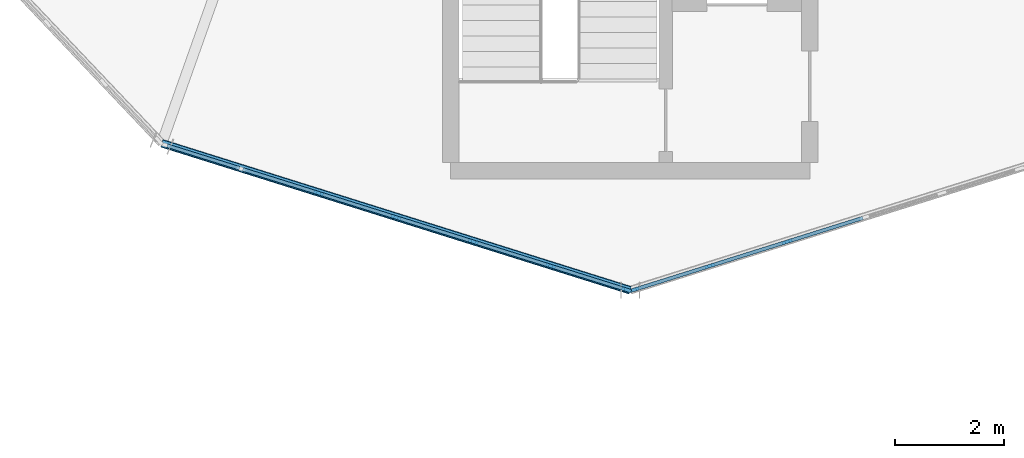
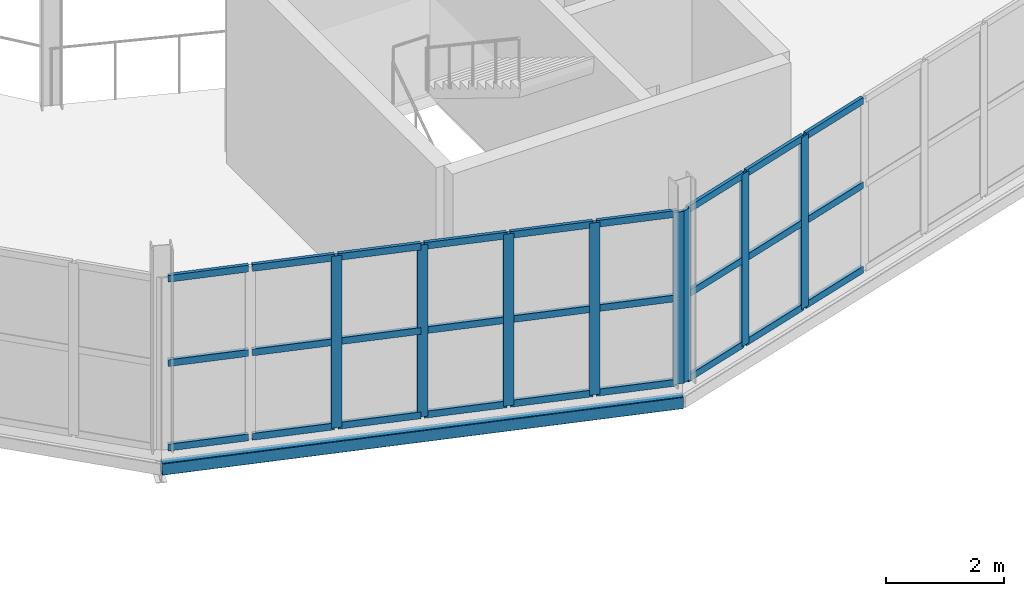
# One storey, part 75 of 161: 35 members, 1 beam, 2 elements without a shape of their own.
"""IFC4 building model written with IfcOpenShell, lengths in metres."""

from ifc_helpers import new_model, si_unit, direction, frame, origin, origin_2d, place, context, subcontext, project, spatial, rectangle, hollow_rectangle, extrude, material, material_profile, profile_set, type_object, element, aggregate, save


model = new_model("IFC4")

# Units and contexts
model_context = context("Model", 3, precision=1e-05, world=origin(), true_north=direction((0.0, 1.0)))
body_context = subcontext(model_context, "Body", "Model", "MODEL_VIEW")
ifc_project = project(units=[si_unit("LENGTHUNIT", "METRE"), si_unit("AREAUNIT", "SQUARE_METRE"), si_unit("VOLUMEUNIT", "CUBIC_METRE"), si_unit("PLANEANGLEUNIT", "RADIAN"), si_unit("MASSUNIT", "GRAM", prefix="KILO")], contexts=[model_context])

# Site, building, storey
site_placement = place(None, origin())
site = spatial("IfcSite", under=ifc_project, at=site_placement, CompositionType="ELEMENT")
building_placement = place(site_placement, origin())
building = spatial("IfcBuilding", under=site, at=building_placement, Name="Kildeholm Park Wholesale Market", CompositionType="ELEMENT")
storey_placement = place(building_placement, frame((0.0, 0.0, 5.39990234375)))
storey = spatial("IfcBuildingStorey", under=building, at=storey_placement, Name="L01", CompositionType="ELEMENT", Elevation=5.39990234375)

# Beam
ifc_material_1 = material(Name="Steel S355", Category="steel")
ifc_material_profile_1 = material_profile(ifc_material_1, hollow_rectangle(XDim=0.14990234375, YDim=0.25, WallThickness=0.010009765625, InnerFilletRadius=0.010009765625, OuterFilletRadius=0.02001953125, at=origin_2d()), Name="RHS 250x150x10")
ifc_profile_set_1 = profile_set([ifc_material_profile_1], Name="Steel S355")
beam_type = type_object("IfcBeamType", Name="Beam SP-02 RHS 250x150x10", PredefinedType="SPANDREL", material=ifc_profile_set_1)
beam_placement = place(storey_placement, frame((179.389892578125, 61.701904296875, -0.385009765625), z_axis=(0.954124515816, -0.299410100562, 0.0), x_axis=(0.299410100562, 0.954124515816, 0.0)))
element("IfcBeam", 1, at=beam_placement, inside=storey, type_object=beam_type, Name="Beam BM-V2-L01-CO-11 BM-0441", PredefinedType="SPANDREL", context=body_context, shape_type="SweptSolid", body=[
    extrude(hollow_rectangle(XDim=0.14990234375, YDim=0.25, WallThickness=0.010009765625, InnerFilletRadius=0.010009765625, OuterFilletRadius=0.02001953125, at=origin_2d()), origin(), (0.0, 0.0, 1.0), 9.024169921875),
])

# Curtain wall, members
ifc_material_2 = material(Name="Anodised aluminium and low-E double-glazed glass", Category="aluminium")
curtain_wall_type = type_object("IfcCurtainWallType", Name="Market hall glazed arcade stick curtain wall CW-01", PredefinedType="NOTDEFINED", material=ifc_material_2)
curtain_wall_1_placement = place(storey_placement, origin())
curtain_wall_1 = element("IfcCurtainWall", 2, at=curtain_wall_1_placement, inside=storey, type_object=curtain_wall_type, Name="Curtain wall CW-V2-L01-11 CW-0130", PredefinedType="NOTDEFINED")
ifc_material_3 = material(Name="Anodised aluminium", Category="aluminium")
ifc_material_profile_2 = material_profile(ifc_material_3, rectangle(XDim=0.06494140625, YDim=0.179931640625, at=origin_2d()), Name="CWM 65x180")
ifc_profile_set_2 = profile_set([ifc_material_profile_2], Name="Anodised aluminium")
member_type_1 = type_object("IfcMemberType", Name="Curtain-wall mullion CWM-1 CWM 65x180", PredefinedType="MULLION", material=ifc_profile_set_2)
member_1_placement = place(storey_placement, frame((182.27099609375, 60.785888671875, 0.0), z_axis=(0.0, 0.0, 1.0), x_axis=(0.29947776095, 0.954103280938, 0.0)))
member_1 = element("IfcMember", 3, at=member_1_placement, type_object=member_type_1, Name="CW-01 mullion 3 MEM-3997", PredefinedType="MULLION", context=body_context, shape_type="SweptSolid", body=[
    extrude(rectangle(XDim=0.06494140625, YDim=0.179931640625, at=origin_2d()), origin(), (0.0, 0.0, 1.0), 3.550048828125),
])
member_2_placement = place(storey_placement, frame((183.693603515625, 60.339599609375, 0.0), z_axis=(0.0, 0.0, 1.0), x_axis=(0.29947776095, 0.954103280938, 0.0)))
member_2 = element("IfcMember", 4, at=member_2_placement, type_object=member_type_1, Name="CW-01 mullion 4 MEM-3998", PredefinedType="MULLION", context=body_context, shape_type="SweptSolid", body=[
    extrude(rectangle(XDim=0.06494140625, YDim=0.179931640625, at=origin_2d()), origin(), (0.0, 0.0, 1.0), 3.550048828125),
])
member_3_placement = place(storey_placement, frame((185.115966796875, 59.89306640625, 0.0), z_axis=(0.0, 0.0, 1.0), x_axis=(0.29947776095, 0.954103280938, 0.0)))
member_3 = element("IfcMember", 5, at=member_3_placement, type_object=member_type_1, Name="CW-01 mullion 5 MEM-3999", PredefinedType="MULLION", context=body_context, shape_type="SweptSolid", body=[
    extrude(rectangle(XDim=0.06494140625, YDim=0.179931640625, at=origin_2d()), origin(), (0.0, 0.0, 1.0), 3.550048828125),
])
member_4_placement = place(storey_placement, frame((186.53857421875, 59.446533203125, 0.0), z_axis=(0.0, 0.0, 1.0), x_axis=(0.29947776095, 0.954103280938, 0.0)))
member_4 = element("IfcMember", 6, at=member_4_placement, type_object=member_type_1, Name="CW-01 mullion 6 MEM-4000", PredefinedType="MULLION", context=body_context, shape_type="SweptSolid", body=[
    extrude(rectangle(XDim=0.06494140625, YDim=0.179931640625, at=origin_2d()), origin(), (0.0, 0.0, 1.0), 3.550048828125),
])
member_5_placement = place(storey_placement, frame((187.929931640625, 59.009765625, 0.0), z_axis=(0.0, 0.0, 1.0), x_axis=(0.29947776095, 0.954103280938, 0.0)))
member_5 = element("IfcMember", 7, at=member_5_placement, type_object=member_type_1, Name="CW-01 mullion 7 MEM-4001", PredefinedType="MULLION", context=body_context, shape_type="SweptSolid", body=[
    extrude(rectangle(XDim=0.06494140625, YDim=0.179931640625, at=origin_2d()), origin(), (0.0, 0.0, 1.0), 3.550048828125),
])

curtain_wall_2_placement = place(storey_placement, origin())
curtain_wall_2 = element("IfcCurtainWall", 8, at=curtain_wall_2_placement, inside=storey, type_object=curtain_wall_type, Name="Curtain wall CW-V2-L01-12 CW-0131", PredefinedType="NOTDEFINED")
member_6_placement = place(storey_placement, frame((188.070068359375, 59.009765625, 0.0), z_axis=(0.0, 0.0, 1.0), x_axis=(-0.29947776095, 0.954103280938, 0.0)))
member_6 = element("IfcMember", 9, at=member_6_placement, type_object=member_type_1, Name="CW-01 mullion 1 MEM-4020", PredefinedType="MULLION", context=body_context, shape_type="SweptSolid", body=[
    extrude(rectangle(XDim=0.06494140625, YDim=0.179931640625, at=origin_2d()), origin(), (0.0, 0.0, 1.0), 3.550048828125),
])
member_7_placement = place(storey_placement, frame((189.46142578125, 59.446533203125, 0.0), z_axis=(0.0, 0.0, 1.0), x_axis=(-0.29947776095, 0.954103280938, 0.0)))
member_7 = element("IfcMember", 10, at=member_7_placement, type_object=member_type_1, Name="CW-01 mullion 2 MEM-4021", PredefinedType="MULLION", context=body_context, shape_type="SweptSolid", body=[
    extrude(rectangle(XDim=0.06494140625, YDim=0.179931640625, at=origin_2d()), origin(), (0.0, 0.0, 1.0), 3.550048828125),
])
member_8_placement = place(storey_placement, frame((190.884033203125, 59.89306640625, 0.0), z_axis=(0.0, 0.0, 1.0), x_axis=(-0.29947776095, 0.954103280938, 0.0)))
member_8 = element("IfcMember", 11, at=member_8_placement, type_object=member_type_1, Name="CW-01 mullion 3 MEM-4022", PredefinedType="MULLION", context=body_context, shape_type="SweptSolid", body=[
    extrude(rectangle(XDim=0.06494140625, YDim=0.179931640625, at=origin_2d()), origin(), (0.0, 0.0, 1.0), 3.550048828125),
])

# Member
ifc_material_profile_3 = material_profile(ifc_material_3, rectangle(XDim=0.06494140625, YDim=0.139892578125, at=origin_2d()), Name="CWT 65x140")
ifc_profile_set_3 = profile_set([ifc_material_profile_3], Name="Anodised aluminium")
member_type_2 = type_object("IfcMemberType", Name="Curtain-wall transom CWT-1 CWT 65x140", PredefinedType="USERDEFINED", material=ifc_profile_set_3)
member_9_placement = place(storey_placement, frame((179.488037109375, 61.659423828125, 0.03271484375), z_axis=(0.954108208412, -0.299462062108, 0.0), x_axis=(0.299462062108, 0.954108208412, 0.0)))
member_9 = element("IfcMember", 12, at=member_9_placement, type_object=member_type_2, Name="CW-01 transom 1.1 MEM-4002", ObjectType="TRANSOM", PredefinedType="USERDEFINED", context=body_context, shape_type="SweptSolid", body=[
    extrude(rectangle(XDim=0.06494140625, YDim=0.139892578125, at=origin_2d()), origin(), (0.0, 0.0, 1.0), 1.393310546875),
])

member_10_placement = place(storey_placement, frame((179.488037109375, 61.659423828125, 1.775146484375), z_axis=(0.954108208412, -0.299462062108, 0.0), x_axis=(0.299462062108, 0.954108208412, 0.0)))
member_10 = element("IfcMember", 13, at=member_10_placement, type_object=member_type_2, Name="CW-01 transom 1.2 MEM-4003", ObjectType="TRANSOM", PredefinedType="USERDEFINED", context=body_context, shape_type="SweptSolid", body=[
    extrude(rectangle(XDim=0.06494140625, YDim=0.139892578125, at=origin_2d()), origin(), (0.0, 0.0, 1.0), 1.393310546875),
])

member_11_placement = place(storey_placement, frame((179.488037109375, 61.659423828125, 3.517578125), z_axis=(0.954108208412, -0.299462062108, 0.0), x_axis=(0.299462062108, 0.954108208412, 0.0)))
member_11 = element("IfcMember", 14, at=member_11_placement, type_object=member_type_2, Name="CW-01 transom 1.3 MEM-4004", ObjectType="TRANSOM", PredefinedType="USERDEFINED", context=body_context, shape_type="SweptSolid", body=[
    extrude(rectangle(XDim=0.06494140625, YDim=0.139892578125, at=origin_2d()), origin(), (0.0, 0.0, 1.0), 1.393310546875),
])

member_12_placement = place(storey_placement, frame((180.87939453125, 61.22265625, 0.03271484375), z_axis=(0.954116760481, -0.299434813221, 0.0), x_axis=(0.299434813221, 0.954116760481, 0.0)))
member_12 = element("IfcMember", 15, at=member_12_placement, type_object=member_type_2, Name="CW-01 transom 2.1 MEM-4005", ObjectType="TRANSOM", PredefinedType="USERDEFINED", context=body_context, shape_type="SweptSolid", body=[
    extrude(rectangle(XDim=0.06494140625, YDim=0.139892578125, at=origin_2d()), origin(), (0.0, 0.0, 1.0), 1.426025390625),
])

member_13_placement = place(storey_placement, frame((180.87939453125, 61.22265625, 1.775146484375), z_axis=(0.954116760481, -0.299434813221, 0.0), x_axis=(0.299434813221, 0.954116760481, 0.0)))
member_13 = element("IfcMember", 16, at=member_13_placement, type_object=member_type_2, Name="CW-01 transom 2.2 MEM-4006", ObjectType="TRANSOM", PredefinedType="USERDEFINED", context=body_context, shape_type="SweptSolid", body=[
    extrude(rectangle(XDim=0.06494140625, YDim=0.139892578125, at=origin_2d()), origin(), (0.0, 0.0, 1.0), 1.426025390625),
])

member_14_placement = place(storey_placement, frame((180.87939453125, 61.22265625, 3.517578125), z_axis=(0.954116760481, -0.299434813221, 0.0), x_axis=(0.299434813221, 0.954116760481, 0.0)))
member_14 = element("IfcMember", 17, at=member_14_placement, type_object=member_type_2, Name="CW-01 transom 2.3 MEM-4007", ObjectType="TRANSOM", PredefinedType="USERDEFINED", context=body_context, shape_type="SweptSolid", body=[
    extrude(rectangle(XDim=0.06494140625, YDim=0.139892578125, at=origin_2d()), origin(), (0.0, 0.0, 1.0), 1.426025390625),
])

member_15_placement = place(storey_placement, frame((182.302001953125, 60.7763671875, 0.03271484375), z_axis=(0.954067838163, -0.299590654367, 0.0), x_axis=(0.299590654367, 0.954067838163, 0.0)))
member_15 = element("IfcMember", 18, at=member_15_placement, type_object=member_type_2, Name="CW-01 transom 3.1 MEM-4008", ObjectType="TRANSOM", PredefinedType="USERDEFINED", context=body_context, shape_type="SweptSolid", body=[
    extrude(rectangle(XDim=0.06494140625, YDim=0.139892578125, at=origin_2d()), origin(), (0.0, 0.0, 1.0), 1.426025390625),
])

member_16_placement = place(storey_placement, frame((182.302001953125, 60.7763671875, 1.775146484375), z_axis=(0.954067838163, -0.299590654367, 0.0), x_axis=(0.299590654367, 0.954067838163, 0.0)))
member_16 = element("IfcMember", 19, at=member_16_placement, type_object=member_type_2, Name="CW-01 transom 3.2 MEM-4009", ObjectType="TRANSOM", PredefinedType="USERDEFINED", context=body_context, shape_type="SweptSolid", body=[
    extrude(rectangle(XDim=0.06494140625, YDim=0.139892578125, at=origin_2d()), origin(), (0.0, 0.0, 1.0), 1.426025390625),
])

member_17_placement = place(storey_placement, frame((182.302001953125, 60.7763671875, 3.517578125), z_axis=(0.954067838163, -0.299590654367, 0.0), x_axis=(0.299590654367, 0.954067838163, 0.0)))
member_17 = element("IfcMember", 20, at=member_17_placement, type_object=member_type_2, Name="CW-01 transom 3.3 MEM-4010", ObjectType="TRANSOM", PredefinedType="USERDEFINED", context=body_context, shape_type="SweptSolid", body=[
    extrude(rectangle(XDim=0.06494140625, YDim=0.139892578125, at=origin_2d()), origin(), (0.0, 0.0, 1.0), 1.426025390625),
])

member_18_placement = place(storey_placement, frame((183.724609375, 60.329833984375, 0.03271484375), z_axis=(0.954101406412, -0.299483732917, 0.0), x_axis=(0.299483732917, 0.954101406412, 0.0)))
member_18 = element("IfcMember", 21, at=member_18_placement, type_object=member_type_2, Name="CW-01 transom 4.1 MEM-4011", ObjectType="TRANSOM", PredefinedType="USERDEFINED", context=body_context, shape_type="SweptSolid", body=[
    extrude(rectangle(XDim=0.06494140625, YDim=0.139892578125, at=origin_2d()), origin(), (0.0, 0.0, 1.0), 1.42578125),
])

member_19_placement = place(storey_placement, frame((183.724609375, 60.329833984375, 1.775146484375), z_axis=(0.954101406412, -0.299483732917, 0.0), x_axis=(0.299483732917, 0.954101406412, 0.0)))
member_19 = element("IfcMember", 22, at=member_19_placement, type_object=member_type_2, Name="CW-01 transom 4.2 MEM-4012", ObjectType="TRANSOM", PredefinedType="USERDEFINED", context=body_context, shape_type="SweptSolid", body=[
    extrude(rectangle(XDim=0.06494140625, YDim=0.139892578125, at=origin_2d()), origin(), (0.0, 0.0, 1.0), 1.42578125),
])

member_20_placement = place(storey_placement, frame((183.724609375, 60.329833984375, 3.517578125), z_axis=(0.954101406412, -0.299483732917, 0.0), x_axis=(0.299483732917, 0.954101406412, 0.0)))
member_20 = element("IfcMember", 23, at=member_20_placement, type_object=member_type_2, Name="CW-01 transom 4.3 MEM-4013", ObjectType="TRANSOM", PredefinedType="USERDEFINED", context=body_context, shape_type="SweptSolid", body=[
    extrude(rectangle(XDim=0.06494140625, YDim=0.139892578125, at=origin_2d()), origin(), (0.0, 0.0, 1.0), 1.42578125),
])

member_21_placement = place(storey_placement, frame((185.14697265625, 59.88330078125, 0.03271484375), z_axis=(0.954116760481, -0.299434813221, 0.0), x_axis=(0.299434813221, 0.954116760481, 0.0)))
member_21 = element("IfcMember", 24, at=member_21_placement, type_object=member_type_2, Name="CW-01 transom 5.1 MEM-4014", ObjectType="TRANSOM", PredefinedType="USERDEFINED", context=body_context, shape_type="SweptSolid", body=[
    extrude(rectangle(XDim=0.06494140625, YDim=0.139892578125, at=origin_2d()), origin(), (0.0, 0.0, 1.0), 1.426025390625),
])

member_22_placement = place(storey_placement, frame((185.14697265625, 59.88330078125, 1.775146484375), z_axis=(0.954116760481, -0.299434813221, 0.0), x_axis=(0.299434813221, 0.954116760481, 0.0)))
member_22 = element("IfcMember", 25, at=member_22_placement, type_object=member_type_2, Name="CW-01 transom 5.2 MEM-4015", ObjectType="TRANSOM", PredefinedType="USERDEFINED", context=body_context, shape_type="SweptSolid", body=[
    extrude(rectangle(XDim=0.06494140625, YDim=0.139892578125, at=origin_2d()), origin(), (0.0, 0.0, 1.0), 1.426025390625),
])

member_23_placement = place(storey_placement, frame((185.14697265625, 59.88330078125, 3.517578125), z_axis=(0.954116760481, -0.299434813221, 0.0), x_axis=(0.299434813221, 0.954116760481, 0.0)))
member_23 = element("IfcMember", 26, at=member_23_placement, type_object=member_type_2, Name="CW-01 transom 5.3 MEM-4016", ObjectType="TRANSOM", PredefinedType="USERDEFINED", context=body_context, shape_type="SweptSolid", body=[
    extrude(rectangle(XDim=0.06494140625, YDim=0.139892578125, at=origin_2d()), origin(), (0.0, 0.0, 1.0), 1.426025390625),
])

member_24_placement = place(storey_placement, frame((186.569580078125, 59.436767578125, 0.03271484375), z_axis=(0.954108208412, -0.299462062108, 0.0), x_axis=(0.299462062108, 0.954108208412, 0.0)))
member_24 = element("IfcMember", 27, at=member_24_placement, type_object=member_type_2, Name="CW-01 transom 6.1 MEM-4017", ObjectType="TRANSOM", PredefinedType="USERDEFINED", context=body_context, shape_type="SweptSolid", body=[
    extrude(rectangle(XDim=0.06494140625, YDim=0.139892578125, at=origin_2d()), origin(), (0.0, 0.0, 1.0), 1.393310546875),
])

member_25_placement = place(storey_placement, frame((186.569580078125, 59.436767578125, 1.775146484375), z_axis=(0.954108208412, -0.299462062108, 0.0), x_axis=(0.299462062108, 0.954108208412, 0.0)))
member_25 = element("IfcMember", 28, at=member_25_placement, type_object=member_type_2, Name="CW-01 transom 6.2 MEM-4018", ObjectType="TRANSOM", PredefinedType="USERDEFINED", context=body_context, shape_type="SweptSolid", body=[
    extrude(rectangle(XDim=0.06494140625, YDim=0.139892578125, at=origin_2d()), origin(), (0.0, 0.0, 1.0), 1.393310546875),
])

member_26_placement = place(storey_placement, frame((186.569580078125, 59.436767578125, 3.517578125), z_axis=(0.954108208412, -0.299462062108, 0.0), x_axis=(0.299462062108, 0.954108208412, 0.0)))
member_26 = element("IfcMember", 29, at=member_26_placement, type_object=member_type_2, Name="CW-01 transom 6.3 MEM-4019", ObjectType="TRANSOM", PredefinedType="USERDEFINED", context=body_context, shape_type="SweptSolid", body=[
    extrude(rectangle(XDim=0.06494140625, YDim=0.139892578125, at=origin_2d()), origin(), (0.0, 0.0, 1.0), 1.393310546875),
])

aggregate(curtain_wall_1, [member_1, member_2, member_3, member_4, member_5, member_9, member_10, member_11, member_12, member_13, member_14, member_15, member_16, member_17, member_18, member_19, member_20, member_21, member_22, member_23, member_24, member_25, member_26])

member_27_placement = place(storey_placement, frame((188.10107421875, 59.01953125, 0.03271484375), z_axis=(0.954108208412, 0.299462062108, 0.0), x_axis=(-0.299462062108, 0.954108208412, 0.0)))
member_27 = element("IfcMember", 30, at=member_27_placement, type_object=member_type_2, Name="CW-01 transom 1.1 MEM-4027", ObjectType="TRANSOM", PredefinedType="USERDEFINED", context=body_context, shape_type="SweptSolid", body=[
    extrude(rectangle(XDim=0.06494140625, YDim=0.139892578125, at=origin_2d()), origin(), (0.0, 0.0, 1.0), 1.393310546875),
])

member_28_placement = place(storey_placement, frame((188.10107421875, 59.01953125, 1.775146484375), z_axis=(0.954108208412, 0.299462062108, 0.0), x_axis=(-0.299462062108, 0.954108208412, 0.0)))
member_28 = element("IfcMember", 31, at=member_28_placement, type_object=member_type_2, Name="CW-01 transom 1.2 MEM-4028", ObjectType="TRANSOM", PredefinedType="USERDEFINED", context=body_context, shape_type="SweptSolid", body=[
    extrude(rectangle(XDim=0.06494140625, YDim=0.139892578125, at=origin_2d()), origin(), (0.0, 0.0, 1.0), 1.393310546875),
])

member_29_placement = place(storey_placement, frame((188.10107421875, 59.01953125, 3.517578125), z_axis=(0.954108208412, 0.299462062108, 0.0), x_axis=(-0.299462062108, 0.954108208412, 0.0)))
member_29 = element("IfcMember", 32, at=member_29_placement, type_object=member_type_2, Name="CW-01 transom 1.3 MEM-4029", ObjectType="TRANSOM", PredefinedType="USERDEFINED", context=body_context, shape_type="SweptSolid", body=[
    extrude(rectangle(XDim=0.06494140625, YDim=0.139892578125, at=origin_2d()), origin(), (0.0, 0.0, 1.0), 1.393310546875),
])

member_30_placement = place(storey_placement, frame((189.492431640625, 59.456298828125, 0.03271484375), z_axis=(0.954116760481, 0.299434813221, 0.0), x_axis=(-0.299434813221, 0.954116760481, 0.0)))
member_30 = element("IfcMember", 33, at=member_30_placement, type_object=member_type_2, Name="CW-01 transom 2.1 MEM-4030", ObjectType="TRANSOM", PredefinedType="USERDEFINED", context=body_context, shape_type="SweptSolid", body=[
    extrude(rectangle(XDim=0.06494140625, YDim=0.139892578125, at=origin_2d()), origin(), (0.0, 0.0, 1.0), 1.426025390625),
])

member_31_placement = place(storey_placement, frame((189.492431640625, 59.456298828125, 1.775146484375), z_axis=(0.954116760481, 0.299434813221, 0.0), x_axis=(-0.299434813221, 0.954116760481, 0.0)))
member_31 = element("IfcMember", 34, at=member_31_placement, type_object=member_type_2, Name="CW-01 transom 2.2 MEM-4031", ObjectType="TRANSOM", PredefinedType="USERDEFINED", context=body_context, shape_type="SweptSolid", body=[
    extrude(rectangle(XDim=0.06494140625, YDim=0.139892578125, at=origin_2d()), origin(), (0.0, 0.0, 1.0), 1.426025390625),
])

member_32_placement = place(storey_placement, frame((189.492431640625, 59.456298828125, 3.517578125), z_axis=(0.954116760481, 0.299434813221, 0.0), x_axis=(-0.299434813221, 0.954116760481, 0.0)))
member_32 = element("IfcMember", 35, at=member_32_placement, type_object=member_type_2, Name="CW-01 transom 2.3 MEM-4032", ObjectType="TRANSOM", PredefinedType="USERDEFINED", context=body_context, shape_type="SweptSolid", body=[
    extrude(rectangle(XDim=0.06494140625, YDim=0.139892578125, at=origin_2d()), origin(), (0.0, 0.0, 1.0), 1.426025390625),
])

member_33_placement = place(storey_placement, frame((190.9150390625, 59.90283203125, 0.03271484375), z_axis=(0.954101406412, 0.299483732917, 0.0), x_axis=(-0.299483732917, 0.954101406412, 0.0)))
member_33 = element("IfcMember", 36, at=member_33_placement, type_object=member_type_2, Name="CW-01 transom 3.1 MEM-4033", ObjectType="TRANSOM", PredefinedType="USERDEFINED", context=body_context, shape_type="SweptSolid", body=[
    extrude(rectangle(XDim=0.06494140625, YDim=0.139892578125, at=origin_2d()), origin(), (0.0, 0.0, 1.0), 1.42578125),
])

member_34_placement = place(storey_placement, frame((190.9150390625, 59.90283203125, 1.775146484375), z_axis=(0.954101406412, 0.299483732917, 0.0), x_axis=(-0.299483732917, 0.954101406412, 0.0)))
member_34 = element("IfcMember", 37, at=member_34_placement, type_object=member_type_2, Name="CW-01 transom 3.2 MEM-4034", ObjectType="TRANSOM", PredefinedType="USERDEFINED", context=body_context, shape_type="SweptSolid", body=[
    extrude(rectangle(XDim=0.06494140625, YDim=0.139892578125, at=origin_2d()), origin(), (0.0, 0.0, 1.0), 1.42578125),
])

member_35_placement = place(storey_placement, frame((190.9150390625, 59.90283203125, 3.517578125), z_axis=(0.954101406412, 0.299483732917, 0.0), x_axis=(-0.299483732917, 0.954101406412, 0.0)))
member_35 = element("IfcMember", 38, at=member_35_placement, type_object=member_type_2, Name="CW-01 transom 3.3 MEM-4035", ObjectType="TRANSOM", PredefinedType="USERDEFINED", context=body_context, shape_type="SweptSolid", body=[
    extrude(rectangle(XDim=0.06494140625, YDim=0.139892578125, at=origin_2d()), origin(), (0.0, 0.0, 1.0), 1.42578125),
])

aggregate(curtain_wall_2, [member_6, member_7, member_8, member_27, member_28, member_29, member_30, member_31, member_32, member_33, member_34, member_35])

save(model, "model.ifc")
